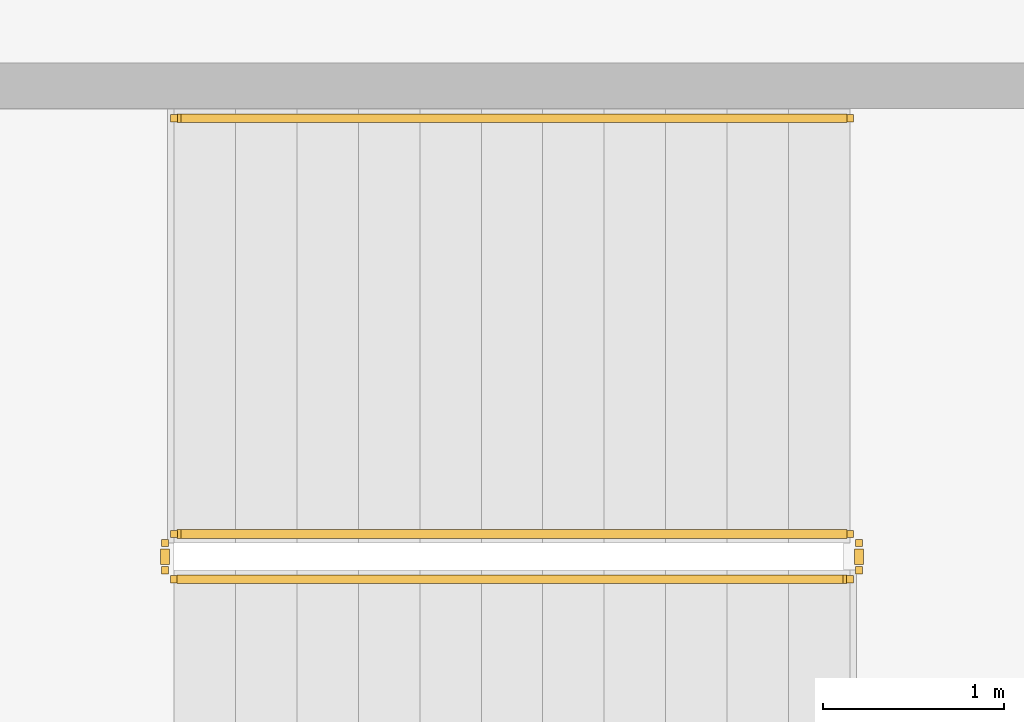
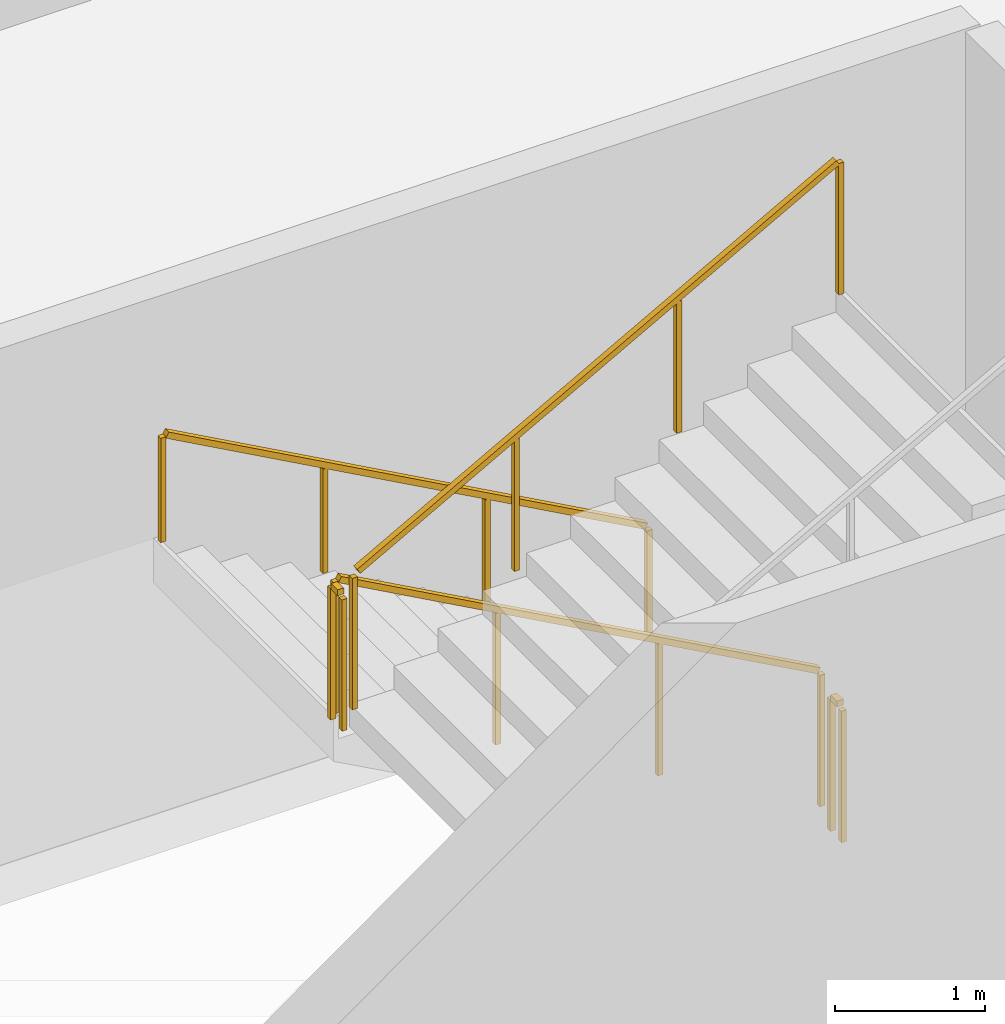
# One storey, part 14 of 14: 5 railings.
"""IFC4 building model written with IfcOpenShell, lengths in metres."""

from ifc_helpers import new_model, si_unit, direction, frame, origin, origin_2d, place, context, subcontext, project, spatial, rectangle, extrude, material, type_object, element, save


model = new_model("IFC4")

# Units and contexts
model_context = context("Model", 3, precision=1e-05, world=origin(), true_north=direction((0.0, 1.0)))
body_context = subcontext(model_context, "Body", "Model", "MODEL_VIEW")
ifc_project = project(units=[si_unit("LENGTHUNIT", "METRE"), si_unit("AREAUNIT", "SQUARE_METRE"), si_unit("VOLUMEUNIT", "CUBIC_METRE"), si_unit("PLANEANGLEUNIT", "RADIAN"), si_unit("MASSUNIT", "GRAM", prefix="KILO")], contexts=[model_context])

# Site, building, storey
site_placement = place(None, origin())
site = spatial("IfcSite", under=ifc_project, at=site_placement, CompositionType="ELEMENT")
building_placement = place(site_placement, origin())
building = spatial("IfcBuilding", under=site, at=building_placement, Name="Tharavind Bronze Gate", CompositionType="ELEMENT")
storey_placement = place(building_placement, frame((0.0, 0.0, -4.5)))
storey = spatial("IfcBuildingStorey", under=building, at=storey_placement, Name="B01", CompositionType="ELEMENT", Elevation=-4.5)

# Railings
ifc_material = material(Name="Brushed Bronze Alloy", Category="metal")
railing_type_1 = type_object("IfcRailingType", Name="STAIR BRONZE HANDRAIL 900", PredefinedType="HANDRAIL", material=ifc_material)
railing_1_placement = place(storey_placement, frame((26.0, 17.89990234375, 0.1875)))
element("IfcRailing", 1, at=railing_1_placement, inside=storey, type_object=railing_type_1, Name="B01 ST4 stair handrail 1", PredefinedType="HANDRAIL", context=body_context, shape_type="SweptSolid", body=[
    extrude(rectangle(XDim=0.048095703125, YDim=0.048095703125, at=origin_2d()), frame((-0.028076171875, 0.0, 0.891357421875), z_axis=(-0.875671045107, 0.0, 0.482908087281), x_axis=(0.0, -1.0, 0.0)), (0.0, 0.0, 1.0), 4.20703125),
    extrude(rectangle(XDim=0.0400390625, YDim=0.0400390625, at=origin_2d()), origin(), (0.0, 0.0, 1.0), 0.847900390625),
    extrude(rectangle(XDim=0.0400390625, YDim=0.0400390625, at=origin_2d()), frame((-1.24658203125, 0.0, 0.6875)), (0.0, 0.0, 1.0), 0.847900390625),
    extrude(rectangle(XDim=0.0400390625, YDim=0.0400390625, at=origin_2d()), frame((-2.493408203125, 0.0, 1.375)), (0.0, 0.0, 1.0), 0.847900390625),
    extrude(rectangle(XDim=0.0400390625, YDim=0.0400390625, at=origin_2d()), frame((-3.739990234375, 0.0, 2.0625)), (0.0, 0.0, 1.0), 0.847900390625),
])
railing_type_2 = type_object("IfcRailingType", Name="STAIR WELL GUARD RAILING 1120", PredefinedType="GUARDRAIL", material=ifc_material)
railing_2_placement = place(storey_placement, frame((26.0, 15.60009765625, 0.1875)))
element("IfcRailing", 2, at=railing_2_placement, inside=storey, type_object=railing_type_2, Name="B01 ST4 stair guard 1", PredefinedType="GUARDRAIL", context=body_context, shape_type="SweptSolid", body=[
    extrude(rectangle(XDim=0.048095703125, YDim=0.048095703125, at=origin_2d()), frame((-0.028076171875, 0.0, 1.111572265625), z_axis=(-0.875671045107, 0.0, 0.482908087281), x_axis=(0.0, -1.0, 0.0)), (0.0, 0.0, 1.0), 4.20703125),
    extrude(rectangle(XDim=0.0400390625, YDim=0.0400390625, at=origin_2d()), origin(), (0.0, 0.0, 1.0), 1.068115234375),
    extrude(rectangle(XDim=0.0400390625, YDim=0.0400390625, at=origin_2d()), frame((-1.24658203125, 0.0, 0.6875)), (0.0, 0.0, 1.0), 1.068115234375),
    extrude(rectangle(XDim=0.0400390625, YDim=0.0400390625, at=origin_2d()), frame((-2.493408203125, 0.0, 1.375)), (0.0, 0.0, 1.0), 1.068115234375),
    extrude(rectangle(XDim=0.0400390625, YDim=0.0400390625, at=origin_2d()), frame((-3.739990234375, 0.0, 2.0625)), (0.0, 0.0, 1.0), 1.068115234375),
])
railing_3_placement = place(storey_placement, frame((22.2099609375, 15.550048828125, 2.25)))
element("IfcRailing", 3, at=railing_3_placement, inside=storey, type_object=railing_type_2, Name="B01 ST4 stair guard 2", PredefinedType="GUARDRAIL", context=body_context, shape_type="SweptSolid", body=[
    extrude(rectangle(XDim=0.048095703125, YDim=0.048095703125, at=origin_2d()), frame((0.0, -0.031982421875, 1.09619140625), z_axis=(0.0, -1.0, 0.0), x_axis=(1.0, 0.0, 0.0)), (0.0, 0.0, 1.0), 0.086181640625),
    extrude(rectangle(XDim=0.0400390625, YDim=0.0400390625, at=origin_2d()), origin(), (0.0, 0.0, 1.0), 1.068115234375),
    extrude(rectangle(XDim=0.0400390625, YDim=0.0400390625, at=origin_2d()), frame((0.0, -0.150146484375, 0.0)), (0.0, 0.0, 1.0), 1.068115234375),
])
railing_4_placement = place(storey_placement, frame((22.260009765625, 15.35009765625, 2.4375)))
element("IfcRailing", 4, at=railing_4_placement, inside=storey, type_object=railing_type_2, Name="B01 ST4 stair guard 3", PredefinedType="GUARDRAIL", context=body_context, shape_type="SweptSolid", body=[
    extrude(rectangle(XDim=0.048095703125, YDim=0.048095703125, at=origin_2d()), frame((0.028076171875, 0.0, 1.111572265625), z_axis=(0.875671045107, 0.0, 0.482908087281), x_axis=(0.0, 1.0, 0.0)), (0.0, 0.0, 1.0), 4.20703125),
    extrude(rectangle(XDim=0.0400390625, YDim=0.0400390625, at=origin_2d()), origin(), (0.0, 0.0, 1.0), 1.068115234375),
    extrude(rectangle(XDim=0.0400390625, YDim=0.0400390625, at=origin_2d()), frame((1.24658203125, 0.0, 0.6875)), (0.0, 0.0, 1.0), 1.068115234375),
    extrude(rectangle(XDim=0.0400390625, YDim=0.0400390625, at=origin_2d()), frame((2.493408203125, 0.0, 1.375)), (0.0, 0.0, 1.0), 1.068115234375),
    extrude(rectangle(XDim=0.0400390625, YDim=0.0400390625, at=origin_2d()), frame((3.739990234375, 0.0, 2.0625)), (0.0, 0.0, 1.0), 1.068115234375),
])
railing_5_placement = place(storey_placement, frame((26.050048828125, 15.550048828125, 0.0)))
element("IfcRailing", 5, at=railing_5_placement, inside=storey, type_object=railing_type_2, Name="B01 ST4 stair guard 4", PredefinedType="GUARDRAIL", context=body_context, shape_type="SweptSolid", body=[
    extrude(rectangle(XDim=0.048095703125, YDim=0.048095703125, at=origin_2d()), frame((0.0, -0.031982421875, 1.09619140625), z_axis=(0.0, -1.0, 0.0), x_axis=(1.0, 0.0, 0.0)), (0.0, 0.0, 1.0), 0.086181640625),
    extrude(rectangle(XDim=0.0400390625, YDim=0.0400390625, at=origin_2d()), origin(), (0.0, 0.0, 1.0), 1.068115234375),
    extrude(rectangle(XDim=0.0400390625, YDim=0.0400390625, at=origin_2d()), frame((0.0, -0.150146484375, 0.0)), (0.0, 0.0, 1.0), 1.068115234375),
])

save(model, "model.ifc")
